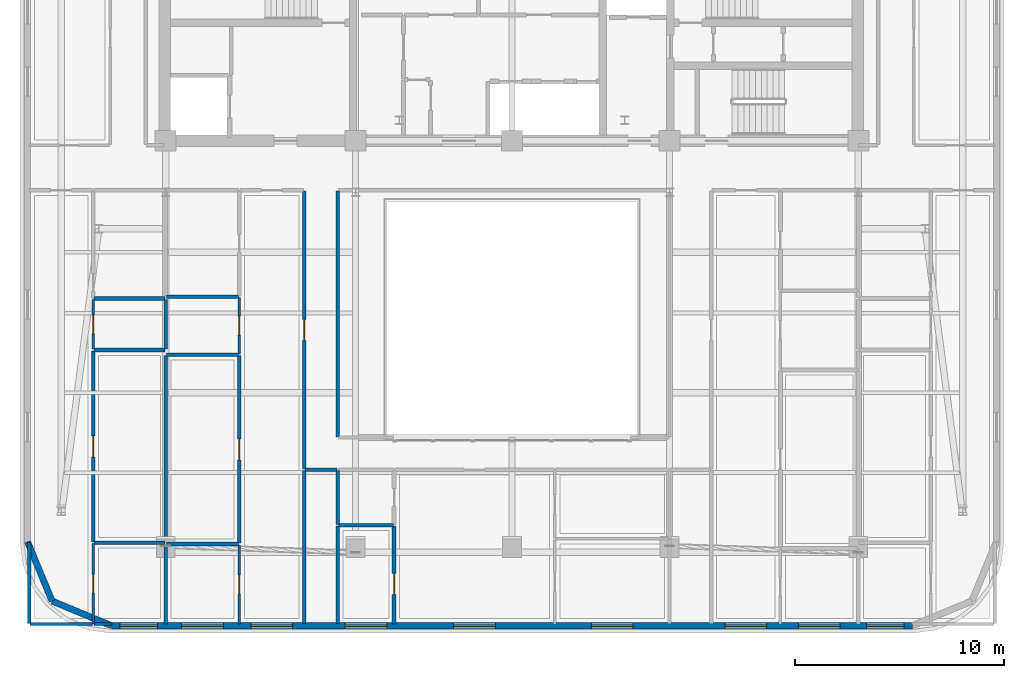
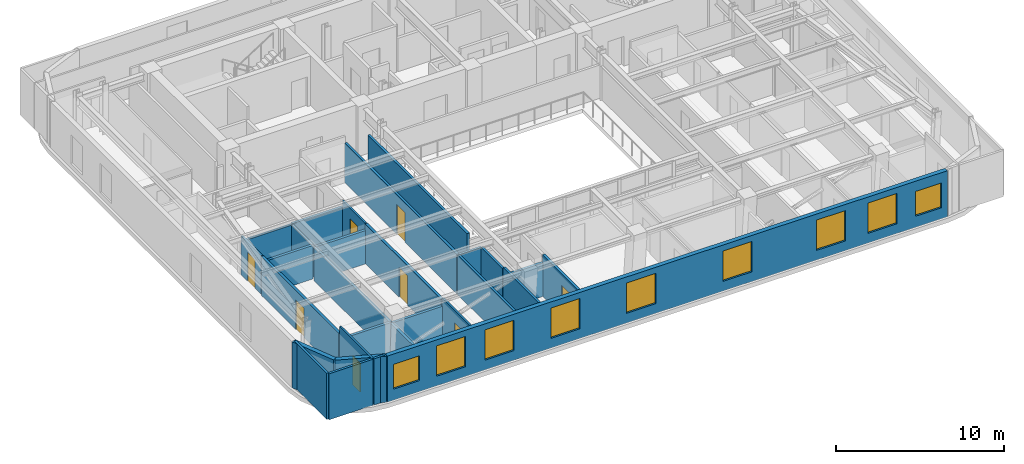
# One storey, part 6 of 15: 29 walls, 9 windows, 8 doors, 17 openings.
"""IFC4 building model written with IfcOpenShell, lengths in metres."""

from ifc_helpers import new_model, si_unit, direction, frame, frame_2d, origin, place, context, subcontext, project, spatial, rectangle, extrude, material, layer, layer_set, type_object, element, fill, save


model = new_model("IFC4")

# Units and contexts
model_context = context("Model", 3, precision=1e-05, world=origin(), true_north=direction((0.0, 1.0)))
body_context = subcontext(model_context, "Body", "Model", "MODEL_VIEW")
ifc_project = project(units=[si_unit("LENGTHUNIT", "METRE"), si_unit("AREAUNIT", "SQUARE_METRE"), si_unit("VOLUMEUNIT", "CUBIC_METRE"), si_unit("PLANEANGLEUNIT", "RADIAN"), si_unit("MASSUNIT", "GRAM", prefix="KILO")], contexts=[model_context])

# Site, building, storey
site_placement = place(None, origin())
site = spatial("IfcSite", under=ifc_project, at=site_placement, CompositionType="ELEMENT")
building_placement = place(site_placement, origin())
building = spatial("IfcBuilding", under=site, at=building_placement, Name="Zarnavel Station Tower", CompositionType="ELEMENT")
storey_placement = place(building_placement, frame((0.0, 0.0, 196.800048828125)))
storey = spatial("IfcBuildingStorey", under=building, at=storey_placement, Name="L53", CompositionType="ELEMENT", Elevation=196.800048828125)

# Walls
ifc_material_1 = material(Name="Precast concrete C45/55 (Dark Basalt Finish)", Category="masonry")
ifc_layer_1 = layer(ifc_material_1, 0.300048828125)
ifc_layer_set_1 = layer_set([ifc_layer_1], Name="EW_BASALT_300")
wall_type_1 = type_object("IfcWallType", Name="EW_BASALT_300", PredefinedType="SOLIDWALL", material=ifc_layer_set_1)
for number, where, z_axis, x_axis, name in (
    (1, (6.75732421875, 5.75732421875, 0.0), (0.0, 0.0, 1.0), (-0.382608747773, 0.923910464346, 0.0), "L53 Exterior Basalt Masonry Frame Wall 10"),
    (2, (9.60009765625, 4.580078125, 0.0), (0.0, 0.0, 1.0), (-0.923910464346, 0.382608747773, 0.0), "L53 Exterior Basalt Masonry Frame Wall 11"),
):
    element("IfcWall", number, at=place(storey_placement, frame(where, z_axis=z_axis, x_axis=x_axis)), inside=storey, type_object=wall_type_1, Name=name, PredefinedType="SOLIDWALL", context=body_context, shape_type="SweptSolid", body=[
        extrude(rectangle(XDim=3.076904296875, YDim=0.300048828125, at=frame_2d((1.53857421875, 0.0))), origin(), (0.0, 0.0, 1.0), 3.33984375),
    ])

# Wall, openings, windows
wall_1_placement = place(storey_placement, frame((48.0, 4.580078125, 0.0), z_axis=(0.0, 0.0, 1.0), x_axis=(-1.0, 0.0, 0.0)))
wall_1 = element("IfcWall", 3, at=wall_1_placement, inside=storey, type_object=wall_type_1, Name="L53 Exterior Basalt Masonry Frame Wall 12", PredefinedType="SOLIDWALL", context=body_context, shape_type="SweptSolid", body=[
    extrude(rectangle(XDim=38.39990234375, YDim=0.300048828125, at=frame_2d((19.199951171875, 0.0))), origin(), (0.0, 0.0, 1.0), 3.33984375),
])
opening_1_placement = place(wall_1_placement, frame((36.18994140625, 0.0, 0.800048828125)))
opening_1 = element("IfcOpeningElement", 4, at=opening_1_placement, cuts=wall_1, Name="Opening WN02", PredefinedType="OPENING", context=body_context, shape_type="SweptSolid", body=[
    extrude(rectangle(XDim=1.800048828125, YDim=1.800048828125, at=frame_2d((0.89990234375, 0.89990234375))), frame((0.0, 0.159912109375, 0.0), z_axis=(0.0, -1.0, 0.0), x_axis=(1.0, 0.0, 0.0)), (0.0, 0.0, 1.0), 0.320068359375),
])
opening_2_placement = place(wall_1_placement, frame((29.71240234375, 0.0, 0.699951171875)))
opening_2 = element("IfcOpeningElement", 5, at=opening_2_placement, cuts=wall_1, Name="Opening WN07", PredefinedType="OPENING", context=body_context, shape_type="SweptSolid", body=[
    extrude(rectangle(XDim=2.0, YDim=2.199951171875, at=frame_2d((1.0, 1.10009765625))), frame((0.0, 0.159912109375, 0.0), z_axis=(0.0, -1.0, 0.0), x_axis=(1.0, 0.0, 0.0)), (0.0, 0.0, 1.0), 0.320068359375),
])
opening_3_placement = place(wall_1_placement, frame((33.03759765625, 0.0, 0.699951171875)))
opening_3 = element("IfcOpeningElement", 6, at=opening_3_placement, cuts=wall_1, Name="Opening WN07", PredefinedType="OPENING", context=body_context, shape_type="SweptSolid", body=[
    extrude(rectangle(XDim=2.0, YDim=2.199951171875, at=frame_2d((1.0, 1.10009765625))), frame((0.0, 0.159912109375, 0.0), z_axis=(0.0, -1.0, 0.0), x_axis=(1.0, 0.0, 0.0)), (0.0, 0.0, 1.0), 0.320068359375),
])
opening_4_placement = place(wall_1_placement, frame((20.0, 0.0, 0.699951171875)))
opening_4 = element("IfcOpeningElement", 7, at=opening_4_placement, cuts=wall_1, Name="Opening WN07", PredefinedType="OPENING", context=body_context, shape_type="SweptSolid", body=[
    extrude(rectangle(XDim=2.0, YDim=2.199951171875, at=frame_2d((1.0, 1.10009765625))), frame((0.0, 0.159912109375, 0.0), z_axis=(0.0, -1.0, 0.0), x_axis=(1.0, 0.0, 0.0)), (0.0, 0.0, 1.0), 0.320068359375),
])
opening_5_placement = place(wall_1_placement, frame((25.199951171875, 0.0, 0.699951171875)))
opening_5 = element("IfcOpeningElement", 8, at=opening_5_placement, cuts=wall_1, Name="Opening WN07", PredefinedType="OPENING", context=body_context, shape_type="SweptSolid", body=[
    extrude(rectangle(XDim=2.0, YDim=2.199951171875, at=frame_2d((1.0, 1.10009765625))), frame((0.0, 0.159912109375, 0.0), z_axis=(0.0, -1.0, 0.0), x_axis=(1.0, 0.0, 0.0)), (0.0, 0.0, 1.0), 0.320068359375),
])
opening_6_placement = place(wall_1_placement, frame((13.39990234375, 0.0, 0.699951171875)))
opening_6 = element("IfcOpeningElement", 9, at=opening_6_placement, cuts=wall_1, Name="Opening WN07", PredefinedType="OPENING", context=body_context, shape_type="SweptSolid", body=[
    extrude(rectangle(XDim=2.0, YDim=2.199951171875, at=frame_2d((1.0, 1.10009765625))), frame((0.0, 0.159912109375, 0.0), z_axis=(0.0, -1.0, 0.0), x_axis=(1.0, 0.0, 0.0)), (0.0, 0.0, 1.0), 0.320068359375),
])
opening_7_placement = place(wall_1_placement, frame((6.993408203125, 0.0, 0.699951171875)))
opening_7 = element("IfcOpeningElement", 10, at=opening_7_placement, cuts=wall_1, Name="Opening WN07", PredefinedType="OPENING", context=body_context, shape_type="SweptSolid", body=[
    extrude(rectangle(XDim=2.0, YDim=2.199951171875, at=frame_2d((1.0, 1.10009765625))), frame((0.0, 0.159912109375, 0.0), z_axis=(0.0, -1.0, 0.0), x_axis=(1.0, 0.0, 0.0)), (0.0, 0.0, 1.0), 0.320068359375),
])
opening_8_placement = place(wall_1_placement, frame((3.468505859375, 0.0, 0.699951171875)))
opening_8 = element("IfcOpeningElement", 11, at=opening_8_placement, cuts=wall_1, Name="Opening WN07", PredefinedType="OPENING", context=body_context, shape_type="SweptSolid", body=[
    extrude(rectangle(XDim=2.0, YDim=2.199951171875, at=frame_2d((1.0, 1.10009765625))), frame((0.0, 0.159912109375, 0.0), z_axis=(0.0, -1.0, 0.0), x_axis=(1.0, 0.0, 0.0)), (0.0, 0.0, 1.0), 0.320068359375),
])
opening_9_placement = place(wall_1_placement, frame((0.409912109375, 0.0, 0.800048828125)))
opening_9 = element("IfcOpeningElement", 12, at=opening_9_placement, cuts=wall_1, Name="Opening WN02", PredefinedType="OPENING", context=body_context, shape_type="SweptSolid", body=[
    extrude(rectangle(XDim=1.800048828125, YDim=1.800048828125, at=frame_2d((0.89990234375, 0.89990234375))), frame((0.0, 0.159912109375, 0.0), z_axis=(0.0, -1.0, 0.0), x_axis=(1.0, 0.0, 0.0)), (0.0, 0.0, 1.0), 0.320068359375),
])
ifc_material_2 = material(Name="Thermally Broken Black Aluminium and Low-E Dark Glass", Category="aluminium")
window_type_1 = type_object("IfcWindowType", Name="WN_1800x1800", PartitioningType="DOUBLE_PANEL_VERTICAL", PredefinedType="WINDOW", material=ifc_material_2)
window_1_placement = place(opening_1_placement, origin())
window_1 = element("IfcWindow", 13, at=window_1_placement, inside=storey, type_object=window_type_1, Name="L53 Recessed Facade Window 01", OverallHeight=1.800048828125, OverallWidth=1.800048828125, PartitioningType="SINGLE_PANEL", PredefinedType="WINDOW", context=body_context, shape_type="SweptSolid", body=[
    extrude(rectangle(XDim=1.800048828125, YDim=1.800048828125, at=frame_2d((0.89990234375, 0.89990234375))), frame((0.0, 0.030029296875, 0.0), z_axis=(0.0, -1.0, 0.0), x_axis=(1.0, 0.0, 0.0)), (0.0, 0.0, 1.0), 0.06005859375),
])
fill(opening_1, window_1)
window_2_placement = place(opening_9_placement, origin())
window_2 = element("IfcWindow", 14, at=window_2_placement, inside=storey, type_object=window_type_1, Name="L53 Recessed Facade Window 09", OverallHeight=1.800048828125, OverallWidth=1.800048828125, PartitioningType="SINGLE_PANEL", PredefinedType="WINDOW", context=body_context, shape_type="SweptSolid", body=[
    extrude(rectangle(XDim=1.800048828125, YDim=1.800048828125, at=frame_2d((0.89990234375, 0.89990234375))), frame((0.0, 0.030029296875, 0.0), z_axis=(0.0, -1.0, 0.0), x_axis=(1.0, 0.0, 0.0)), (0.0, 0.0, 1.0), 0.06005859375),
])
fill(opening_9, window_2)
ifc_material_3 = material(Name="Thermally Broken Black Aluminium and Low-E Dark Glass", Category="aluminium")
window_type_2 = type_object("IfcWindowType", Name="WN_2000x2200", PartitioningType="TRIPLE_PANEL_VERTICAL", PredefinedType="WINDOW", material=ifc_material_3)
window_3_placement = place(opening_2_placement, origin())
window_3 = element("IfcWindow", 15, at=window_3_placement, inside=storey, type_object=window_type_2, Name="L53 Recessed Facade Window 02", OverallHeight=2.199951171875, OverallWidth=2.0, PartitioningType="SINGLE_PANEL", PredefinedType="WINDOW", context=body_context, shape_type="SweptSolid", body=[
    extrude(rectangle(XDim=2.0, YDim=2.199951171875, at=frame_2d((1.0, 1.10009765625))), frame((0.0, 0.030029296875, 0.0), z_axis=(0.0, -1.0, 0.0), x_axis=(1.0, 0.0, 0.0)), (0.0, 0.0, 1.0), 0.06005859375),
])
fill(opening_2, window_3)
window_4_placement = place(opening_3_placement, origin())
window_4 = element("IfcWindow", 16, at=window_4_placement, inside=storey, type_object=window_type_2, Name="L53 Recessed Facade Window 03", OverallHeight=2.199951171875, OverallWidth=2.0, PartitioningType="SINGLE_PANEL", PredefinedType="WINDOW", context=body_context, shape_type="SweptSolid", body=[
    extrude(rectangle(XDim=2.0, YDim=2.199951171875, at=frame_2d((1.0, 1.10009765625))), frame((0.0, 0.030029296875, 0.0), z_axis=(0.0, -1.0, 0.0), x_axis=(1.0, 0.0, 0.0)), (0.0, 0.0, 1.0), 0.06005859375),
])
fill(opening_3, window_4)
window_5_placement = place(opening_4_placement, origin())
window_5 = element("IfcWindow", 17, at=window_5_placement, inside=storey, type_object=window_type_2, Name="L53 Recessed Facade Window 04", OverallHeight=2.199951171875, OverallWidth=2.0, PartitioningType="SINGLE_PANEL", PredefinedType="WINDOW", context=body_context, shape_type="SweptSolid", body=[
    extrude(rectangle(XDim=2.0, YDim=2.199951171875, at=frame_2d((1.0, 1.10009765625))), frame((0.0, 0.030029296875, 0.0), z_axis=(0.0, -1.0, 0.0), x_axis=(1.0, 0.0, 0.0)), (0.0, 0.0, 1.0), 0.06005859375),
])
fill(opening_4, window_5)
window_6_placement = place(opening_5_placement, origin())
window_6 = element("IfcWindow", 18, at=window_6_placement, inside=storey, type_object=window_type_2, Name="L53 Recessed Facade Window 05", OverallHeight=2.199951171875, OverallWidth=2.0, PartitioningType="SINGLE_PANEL", PredefinedType="WINDOW", context=body_context, shape_type="SweptSolid", body=[
    extrude(rectangle(XDim=2.0, YDim=2.199951171875, at=frame_2d((1.0, 1.10009765625))), frame((0.0, 0.030029296875, 0.0), z_axis=(0.0, -1.0, 0.0), x_axis=(1.0, 0.0, 0.0)), (0.0, 0.0, 1.0), 0.06005859375),
])
fill(opening_5, window_6)
window_7_placement = place(opening_6_placement, origin())
window_7 = element("IfcWindow", 19, at=window_7_placement, inside=storey, type_object=window_type_2, Name="L53 Recessed Facade Window 06", OverallHeight=2.199951171875, OverallWidth=2.0, PartitioningType="SINGLE_PANEL", PredefinedType="WINDOW", context=body_context, shape_type="SweptSolid", body=[
    extrude(rectangle(XDim=2.0, YDim=2.199951171875, at=frame_2d((1.0, 1.10009765625))), frame((0.0, 0.030029296875, 0.0), z_axis=(0.0, -1.0, 0.0), x_axis=(1.0, 0.0, 0.0)), (0.0, 0.0, 1.0), 0.06005859375),
])
fill(opening_6, window_7)
window_8_placement = place(opening_7_placement, origin())
window_8 = element("IfcWindow", 20, at=window_8_placement, inside=storey, type_object=window_type_2, Name="L53 Recessed Facade Window 07", OverallHeight=2.199951171875, OverallWidth=2.0, PartitioningType="SINGLE_PANEL", PredefinedType="WINDOW", context=body_context, shape_type="SweptSolid", body=[
    extrude(rectangle(XDim=2.0, YDim=2.199951171875, at=frame_2d((1.0, 1.10009765625))), frame((0.0, 0.030029296875, 0.0), z_axis=(0.0, -1.0, 0.0), x_axis=(1.0, 0.0, 0.0)), (0.0, 0.0, 1.0), 0.06005859375),
])
fill(opening_7, window_8)
window_9_placement = place(opening_8_placement, origin())
window_9 = element("IfcWindow", 21, at=window_9_placement, inside=storey, type_object=window_type_2, Name="L53 Recessed Facade Window 08", OverallHeight=2.199951171875, OverallWidth=2.0, PartitioningType="SINGLE_PANEL", PredefinedType="WINDOW", context=body_context, shape_type="SweptSolid", body=[
    extrude(rectangle(XDim=2.0, YDim=2.199951171875, at=frame_2d((1.0, 1.10009765625))), frame((0.0, 0.030029296875, 0.0), z_axis=(0.0, -1.0, 0.0), x_axis=(1.0, 0.0, 0.0)), (0.0, 0.0, 1.0), 0.06005859375),
])
fill(opening_8, window_9)

# Wall, opening, door
ifc_material_4 = material(Name="Gypsum Twin-Stud Acoustic Fire Partition", Category="concrete")
ifc_layer_2 = layer(ifc_material_4, 0.159912109375)
ifc_layer_set_2 = layer_set([ifc_layer_2], Name="PT_DEMISE_160")
wall_type_2 = type_object("IfcWallType", Name="PT_DEMISE_160", PredefinedType="PARTITIONING", material=ifc_layer_set_2)
wall_2_placement = place(storey_placement, frame((18.85009765625, 12.090087890625, 0.0), z_axis=(0.0, 0.0, 1.0), x_axis=(0.0, 1.0, 0.0)))
wall_2 = element("IfcWall", 22, at=wall_2_placement, inside=storey, type_object=wall_type_2, Name="L53 Partition COR-AW-UW2LV", PredefinedType="PARTITIONING", context=body_context, shape_type="SweptSolid", body=[
    extrude(rectangle(XDim=13.31982421875, YDim=0.159912109375, at=frame_2d((6.659912109375, 0.0))), origin(), (0.0, 0.0, 1.0), 2.869873046875),
])
opening_10_placement = place(wall_2_placement, frame((6.159912109375, 0.0, 0.0)))
opening_10 = element("IfcOpeningElement", 23, at=opening_10_placement, cuts=wall_2, Name="Opening FD02", PredefinedType="OPENING", context=body_context, shape_type="SweptSolid", body=[
    extrude(rectangle(XDim=1.0, YDim=2.14990234375, at=frame_2d((0.5, 1.074951171875))), frame((0.0, 0.08984375, 0.0), z_axis=(0.0, -1.0, 0.0), x_axis=(1.0, 0.0, 0.0)), (0.0, 0.0, 1.0), 0.179931640625),
])
ifc_material_5 = material(Name="Painted Galvanised Steel and Hardwood Leaf", Category="steel")
door_type_1 = type_object("IfcDoorType", Name="ID_ENTRY_1000", OperationType="NOTDEFINED", PredefinedType="DOOR", material=ifc_material_5)
door_1_placement = place(opening_10_placement, origin())
door_1 = element("IfcDoor", 24, at=door_1_placement, inside=storey, type_object=door_type_1, Name="L53 Door COR-AW-UW2LV", OperationType="SINGLE_SWING_RIGHT", OverallHeight=2.14990234375, OverallWidth=1.0, PredefinedType="DOOR", context=body_context, shape_type="SweptSolid", body=[
    extrude(rectangle(XDim=1.0, YDim=2.14990234375, at=frame_2d((0.5, 1.074951171875))), frame((0.0, 0.02490234375, 0.0), z_axis=(0.0, -1.0, 0.0), x_axis=(1.0, 0.0, 0.0)), (0.0, 0.0, 1.0), 0.050048828125),
])
fill(opening_10, door_1)

# Walls
wall_3_placement = place(storey_placement, frame((12.199951171875, 4.659912109375, 0.0), z_axis=(0.0, 0.0, 1.0), x_axis=(0.0, 1.0, 0.0)))
element("IfcWall", 25, at=wall_3_placement, inside=storey, type_object=wall_type_2, Name="L53 Partition UW1B1-UW2B1", PredefinedType="PARTITIONING", context=body_context, shape_type="SweptSolid", body=[
    extrude(rectangle(XDim=3.7900390625, YDim=0.159912109375, at=frame_2d((1.89501953125, 0.0))), origin(), (0.0, 0.0, 1.0), 2.419921875),
])
wall_4_placement = place(storey_placement, frame((12.199951171875, 17.827880859375, 0.0), z_axis=(0.0, 0.0, 1.0), x_axis=(0.0, 1.0, 0.0)))
element("IfcWall", 26, at=wall_4_placement, inside=storey, type_object=wall_type_2, Name="L53 Partition UW1UT-UW2UT", PredefinedType="PARTITIONING", context=body_context, shape_type="SweptSolid", body=[
    extrude(rectangle(XDim=2.38916015625, YDim=0.159912109375, at=frame_2d((1.194580078125, 0.0))), origin(), (0.0, 0.0, 1.0), 2.419921875),
])
wall_5_placement = place(storey_placement, frame((18.8798828125, 12.050048828125, 0.0), z_axis=(0.0, 0.0, 1.0), x_axis=(1.0, 0.0, 0.0)))
element("IfcWall", 27, at=wall_5_placement, inside=storey, type_object=wall_type_2, Name="L53 Enclosure Wall COR-AW", PredefinedType="PARTITIONING", context=body_context, shape_type="SweptSolid", body=[
    extrude(rectangle(XDim=1.5400390625, YDim=0.159912109375, at=frame_2d((0.77001953125, 0.0))), origin(), (0.0, 0.0, 1.0), 2.869873046875),
])
wall_6_placement = place(storey_placement, frame((20.449951171875, 13.6298828125, 0.0), z_axis=(0.0, 0.0, 1.0), x_axis=(0.0, 1.0, 0.0)))
element("IfcWall", 28, at=wall_6_placement, inside=storey, type_object=wall_type_2, Name="L53 Enclosure Wall COR-AW", PredefinedType="PARTITIONING", context=body_context, shape_type="SweptSolid", body=[
    extrude(rectangle(XDim=11.7900390625, YDim=0.159912109375, at=frame_2d((5.89501953125, 0.0))), origin(), (0.0, 0.0, 1.0), 2.869873046875),
])
wall_7_placement = place(storey_placement, frame((5.68994140625, 4.659912109375, 0.0), z_axis=(0.0, 0.0, 1.0), x_axis=(1.0, 0.0, 0.0)))
element("IfcWall", 29, at=wall_7_placement, inside=storey, type_object=wall_type_2, Name="L53 Enclosure Wall UW1LV", PredefinedType="PARTITIONING", context=body_context, shape_type="SweptSolid", body=[
    extrude(rectangle(XDim=3.01416015625, YDim=0.159912109375, at=frame_2d((1.507080078125, 0.0))), origin(), (0.0, 0.0, 1.0), 3.33984375),
])
wall_8_placement = place(storey_placement, frame((5.659912109375, 4.68994140625, 0.0), z_axis=(0.0, 0.0, 1.0), x_axis=(0.0, 1.0, 0.0)))
element("IfcWall", 30, at=wall_8_placement, inside=storey, type_object=wall_type_2, Name="L53 Enclosure Wall UW1LV", PredefinedType="PARTITIONING", context=body_context, shape_type="SweptSolid", body=[
    extrude(rectangle(XDim=3.880126953125, YDim=0.159912109375, at=frame_2d((1.93994140625, 0.0))), origin(), (0.0, 0.0, 1.0), 3.33984375),
])
wall_9_placement = place(storey_placement, frame((8.763916015625, 4.659912109375, 0.0), z_axis=(0.0, 0.0, 1.0), x_axis=(1.0, 0.0, 0.0)))
element("IfcWall", 31, at=wall_9_placement, inside=storey, type_object=wall_type_2, Name="L53 Enclosure Wall UW1B1", PredefinedType="PARTITIONING", context=body_context, shape_type="SweptSolid", body=[
    extrude(rectangle(XDim=0.80615234375, YDim=0.159912109375, at=frame_2d((0.403076171875, 0.0))), origin(), (0.0, 0.0, 1.0), 3.33984375),
])
wall_10_placement = place(storey_placement, frame((18.85009765625, 4.68994140625, 0.0), z_axis=(0.0, 0.0, 1.0), x_axis=(0.0, 1.0, 0.0)))
element("IfcWall", 32, at=wall_10_placement, inside=storey, type_object=wall_type_2, Name="L53 Enclosure Wall UW2LV", PredefinedType="PARTITIONING", context=body_context, shape_type="SweptSolid", body=[
    extrude(rectangle(XDim=7.330078125, YDim=0.159912109375, at=frame_2d((3.6650390625, 0.0))), origin(), (0.0, 0.0, 1.0), 2.869873046875),
])
wall_11_placement = place(storey_placement, frame((20.449951171875, 4.68994140625, 0.0), z_axis=(0.0, 0.0, 1.0), x_axis=(0.0, 1.0, 0.0)))
element("IfcWall", 33, at=wall_11_placement, inside=storey, type_object=wall_type_2, Name="L53 Enclosure Wall US1KT", PredefinedType="PARTITIONING", context=body_context, shape_type="SweptSolid", body=[
    extrude(rectangle(XDim=4.670166015625, YDim=0.159912109375, at=frame_2d((2.3349609375, 0.0))), origin(), (0.0, 0.0, 1.0), 3.0),
])
wall_12_placement = place(storey_placement, frame((20.449951171875, 9.419921875, 0.0), z_axis=(0.0, 0.0, 1.0), x_axis=(0.0, 1.0, 0.0)))
element("IfcWall", 34, at=wall_12_placement, inside=storey, type_object=wall_type_2, Name="L53 Enclosure Wall US1BA", PredefinedType="PARTITIONING", context=body_context, shape_type="SweptSolid", body=[
    extrude(rectangle(XDim=2.60009765625, YDim=0.159912109375, at=frame_2d((1.300048828125, 0.0))), origin(), (0.0, 0.0, 1.0), 2.869873046875),
])

# Wall, opening, door
ifc_material_6 = material(Name="Gypsum Metal-Stud Interior Partition", Category="concrete")
ifc_layer_3 = layer(ifc_material_6, 0.1201171875)
ifc_layer_set_3 = layer_set([ifc_layer_3], Name="PT_ROOM_120")
wall_type_3 = type_object("IfcWallType", Name="PT_ROOM_120", PredefinedType="PARTITIONING", material=ifc_layer_set_3)
wall_13_placement = place(storey_placement, frame((8.73388671875, 4.659912109375, 0.0), z_axis=(0.0, 0.0, 1.0), x_axis=(0.0, 1.0, 0.0)))
wall_13 = element("IfcWall", 35, at=wall_13_placement, inside=storey, type_object=wall_type_3, Name="L53 Partition UW1LV-UW1B1", PredefinedType="PARTITIONING", context=body_context, shape_type="SweptSolid", body=[
    extrude(rectangle(XDim=3.85498046875, YDim=0.1201171875, at=frame_2d((1.927490234375, 0.0))), origin(), (0.0, 0.0, 1.0), 3.33984375),
])
opening_11_placement = place(wall_13_placement, frame((1.4775390625, 0.0, 0.0)))
opening_11 = element("IfcOpeningElement", 36, at=opening_11_placement, cuts=wall_13, Name="Opening ID01", PredefinedType="OPENING", context=body_context, shape_type="SweptSolid", body=[
    extrude(rectangle(XDim=0.89990234375, YDim=2.10009765625, at=frame_2d((0.449951171875, 1.050048828125))), frame((0.0, 0.070068359375, 0.0), z_axis=(0.0, -1.0, 0.0), x_axis=(1.0, 0.0, 0.0)), (0.0, 0.0, 1.0), 0.14013671875),
])
ifc_material_7 = material(Name="Painted Galvanised Steel and Hardwood Leaf", Category="steel")
door_type_2 = type_object("IfcDoorType", Name="ID_ROOM_900", OperationType="NOTDEFINED", PredefinedType="DOOR", material=ifc_material_7)
door_2_placement = place(opening_11_placement, origin())
door_2 = element("IfcDoor", 37, at=door_2_placement, inside=storey, type_object=door_type_2, Name="L53 Door UW1LV-UW1B1", OperationType="SINGLE_SWING_LEFT", OverallHeight=2.10009765625, OverallWidth=0.89990234375, PredefinedType="DOOR", context=body_context, shape_type="SweptSolid", body=[
    extrude(rectangle(XDim=0.89990234375, YDim=2.10009765625, at=frame_2d((0.449951171875, 1.050048828125))), frame((0.0, 0.02490234375, 0.0), z_axis=(0.0, -1.0, 0.0), x_axis=(1.0, 0.0, 0.0)), (0.0, 0.0, 1.0), 0.050048828125),
])
fill(opening_11, door_2)

wall_14_placement = place(storey_placement, frame((8.73388671875, 17.827880859375, 0.0), z_axis=(0.0, 0.0, 1.0), x_axis=(0.0, 1.0, 0.0)))
wall_14 = element("IfcWall", 38, at=wall_14_placement, inside=storey, type_object=wall_type_3, Name="L53 Partition UW1LV-UW1UT", PredefinedType="PARTITIONING", context=body_context, shape_type="SweptSolid", body=[
    extrude(rectangle(XDim=2.38916015625, YDim=0.1201171875, at=frame_2d((1.194580078125, 0.0))), origin(), (0.0, 0.0, 1.0), 2.820068359375),
])
opening_12_placement = place(wall_14_placement, frame((0.744384765625, 0.0, 0.0)))
opening_12 = element("IfcOpeningElement", 39, at=opening_12_placement, cuts=wall_14, Name="Opening ID01", PredefinedType="OPENING", context=body_context, shape_type="SweptSolid", body=[
    extrude(rectangle(XDim=0.89990234375, YDim=2.10009765625, at=frame_2d((0.449951171875, 1.050048828125))), frame((0.0, 0.070068359375, 0.0), z_axis=(0.0, -1.0, 0.0), x_axis=(1.0, 0.0, 0.0)), (0.0, 0.0, 1.0), 0.14013671875),
])
door_3_placement = place(opening_12_placement, origin())
door_3 = element("IfcDoor", 40, at=door_3_placement, inside=storey, type_object=door_type_2, Name="L53 Door UW1LV-UW1UT", OperationType="SINGLE_SWING_LEFT", OverallHeight=2.10009765625, OverallWidth=0.89990234375, PredefinedType="DOOR", context=body_context, shape_type="SweptSolid", body=[
    extrude(rectangle(XDim=0.89990234375, YDim=2.10009765625, at=frame_2d((0.449951171875, 1.050048828125))), frame((0.0, 0.02490234375, 0.0), z_axis=(0.0, -1.0, 0.0), x_axis=(1.0, 0.0, 0.0)), (0.0, 0.0, 1.0), 0.050048828125),
])
fill(opening_12, door_3)

wall_15_placement = place(storey_placement, frame((15.72509765625, 4.659912109375, 0.0), z_axis=(0.0, 0.0, 1.0), x_axis=(0.0, 1.0, 0.0)))
wall_15 = element("IfcWall", 41, at=wall_15_placement, inside=storey, type_object=wall_type_3, Name="L53 Partition UW2LV-UW2B1", PredefinedType="PARTITIONING", context=body_context, shape_type="SweptSolid", body=[
    extrude(rectangle(XDim=3.7900390625, YDim=0.1201171875, at=frame_2d((1.89501953125, 0.0))), origin(), (0.0, 0.0, 1.0), 3.0),
])
opening_13_placement = place(wall_15_placement, frame((1.445068359375, 0.0, 0.0)))
opening_13 = element("IfcOpeningElement", 42, at=opening_13_placement, cuts=wall_15, Name="Opening ID01", PredefinedType="OPENING", context=body_context, shape_type="SweptSolid", body=[
    extrude(rectangle(XDim=0.89990234375, YDim=2.10009765625, at=frame_2d((0.449951171875, 1.050048828125))), frame((0.0, 0.070068359375, 0.0), z_axis=(0.0, -1.0, 0.0), x_axis=(1.0, 0.0, 0.0)), (0.0, 0.0, 1.0), 0.14013671875),
])
door_4_placement = place(opening_13_placement, origin())
door_4 = element("IfcDoor", 43, at=door_4_placement, inside=storey, type_object=door_type_2, Name="L53 Door UW2LV-UW2B1", OperationType="SINGLE_SWING_LEFT", OverallHeight=2.10009765625, OverallWidth=0.89990234375, PredefinedType="DOOR", context=body_context, shape_type="SweptSolid", body=[
    extrude(rectangle(XDim=0.89990234375, YDim=2.10009765625, at=frame_2d((0.449951171875, 1.050048828125))), frame((0.0, 0.02490234375, 0.0), z_axis=(0.0, -1.0, 0.0), x_axis=(1.0, 0.0, 0.0)), (0.0, 0.0, 1.0), 0.050048828125),
])
fill(opening_13, door_4)

wall_16_placement = place(storey_placement, frame((15.72509765625, 17.60791015625, 0.0), z_axis=(0.0, 0.0, 1.0), x_axis=(0.0, 1.0, 0.0)))
wall_16 = element("IfcWall", 44, at=wall_16_placement, inside=storey, type_object=wall_type_3, Name="L53 Partition UW2LV-UW2UT", PredefinedType="PARTITIONING", context=body_context, shape_type="SweptSolid", body=[
    extrude(rectangle(XDim=2.696044921875, YDim=0.1201171875, at=frame_2d((1.34814453125, 0.0))), origin(), (0.0, 0.0, 1.0), 2.869873046875),
])
opening_14_placement = place(wall_16_placement, frame((0.89794921875, 0.0, 0.0)))
opening_14 = element("IfcOpeningElement", 45, at=opening_14_placement, cuts=wall_16, Name="Opening ID01", PredefinedType="OPENING", context=body_context, shape_type="SweptSolid", body=[
    extrude(rectangle(XDim=0.89990234375, YDim=2.10009765625, at=frame_2d((0.449951171875, 1.050048828125))), frame((0.0, 0.070068359375, 0.0), z_axis=(0.0, -1.0, 0.0), x_axis=(1.0, 0.0, 0.0)), (0.0, 0.0, 1.0), 0.14013671875),
])
door_5_placement = place(opening_14_placement, origin())
door_5 = element("IfcDoor", 46, at=door_5_placement, inside=storey, type_object=door_type_2, Name="L53 Door UW2LV-UW2UT", OperationType="SINGLE_SWING_LEFT", OverallHeight=2.10009765625, OverallWidth=0.89990234375, PredefinedType="DOOR", context=body_context, shape_type="SweptSolid", body=[
    extrude(rectangle(XDim=0.89990234375, YDim=2.10009765625, at=frame_2d((0.449951171875, 1.050048828125))), frame((0.0, 0.02490234375, 0.0), z_axis=(0.0, -1.0, 0.0), x_axis=(1.0, 0.0, 0.0)), (0.0, 0.0, 1.0), 0.050048828125),
])
fill(opening_14, door_5)

ifc_material_8 = material(Name="Moisture-Resistant Plumbing Chase Wall", Category="concrete")
ifc_layer_4 = layer(ifc_material_8, 0.179931640625)
ifc_layer_set_4 = layer_set([ifc_layer_4], Name="PW_PLUMB_180")
wall_type_4 = type_object("IfcWallType", Name="PW_PLUMB_180", PredefinedType="PLUMBINGWALL", material=ifc_layer_set_4)
wall_17_placement = place(storey_placement, frame((8.73388671875, 8.594970703125, 0.0), z_axis=(0.0, 0.0, 1.0), x_axis=(0.0, 1.0, 0.0)))
wall_17 = element("IfcWall", 47, at=wall_17_placement, inside=storey, type_object=wall_type_4, Name="L53 Partition UW1LV-UW1KT", PredefinedType="PLUMBINGWALL", context=body_context, shape_type="SweptSolid", body=[
    extrude(rectangle(XDim=9.153076171875, YDim=0.179931640625, at=frame_2d((4.57666015625, 0.0))), origin(), (0.0, 0.0, 1.0), 2.820068359375),
])
opening_15_placement = place(wall_17_placement, frame((4.076416015625, 0.0, 0.0)))
opening_15 = element("IfcOpeningElement", 48, at=opening_15_placement, cuts=wall_17, Name="Opening FD02", PredefinedType="OPENING", context=body_context, shape_type="SweptSolid", body=[
    extrude(rectangle(XDim=1.0, YDim=2.14990234375, at=frame_2d((0.5, 1.074951171875))), frame((0.0, 0.099853515625, 0.0), z_axis=(0.0, -1.0, 0.0), x_axis=(1.0, 0.0, 0.0)), (0.0, 0.0, 1.0), 0.199951171875),
])
door_6_placement = place(opening_15_placement, origin())
door_6 = element("IfcDoor", 49, at=door_6_placement, inside=storey, type_object=door_type_1, Name="L53 Door UW1LV-UW1KT", OperationType="SINGLE_SWING_RIGHT", OverallHeight=2.14990234375, OverallWidth=1.0, PredefinedType="DOOR", context=body_context, shape_type="SweptSolid", body=[
    extrude(rectangle(XDim=1.0, YDim=2.14990234375, at=frame_2d((0.5, 1.074951171875))), frame((0.0, 0.02490234375, 0.0), z_axis=(0.0, -1.0, 0.0), x_axis=(1.0, 0.0, 0.0)), (0.0, 0.0, 1.0), 0.050048828125),
])
fill(opening_15, door_6)

# Walls
for number, where, z_axis, x_axis, name in (
    (50, (8.77392578125, 8.554931640625, 0.0), (0.0, 0.0, 1.0), (1.0, 0.0, 0.0), "L53 Partition UW1B1-UW1KT"),
    (51, (8.77392578125, 17.7880859375, 0.0), (0.0, 0.0, 1.0), (1.0, 0.0, 0.0), "L53 Partition UW1KT-UW1UT"),
):
    element("IfcWall", number, at=place(storey_placement, frame(where, z_axis=z_axis, x_axis=x_axis)), inside=storey, type_object=wall_type_4, Name=name, PredefinedType="PLUMBINGWALL", context=body_context, shape_type="SweptSolid", body=[
        extrude(rectangle(XDim=3.385986328125, YDim=0.179931640625, at=frame_2d((1.69287109375, 0.0))), origin(), (0.0, 0.0, 1.0), 2.419921875),
    ])
wall_18_placement = place(storey_placement, frame((12.199951171875, 8.594970703125, 0.0), z_axis=(0.0, 0.0, 1.0), x_axis=(0.0, 1.0, 0.0)))
element("IfcWall", 52, at=wall_18_placement, inside=storey, type_object=wall_type_4, Name="L53 Partition UW1KT-UW2KT", PredefinedType="PLUMBINGWALL", context=body_context, shape_type="SweptSolid", body=[
    extrude(rectangle(XDim=8.93310546875, YDim=0.179931640625, at=frame_2d((4.466552734375, 0.0))), origin(), (0.0, 0.0, 1.0), 2.419921875),
])
wall_19_placement = place(storey_placement, frame((8.77392578125, 20.257080078125, 0.0), z_axis=(0.0, 0.0, 1.0), x_axis=(1.0, 0.0, 0.0)))
element("IfcWall", 53, at=wall_19_placement, inside=storey, type_object=wall_type_4, Name="L53 Partition UW1UT-UW1BA", PredefinedType="PLUMBINGWALL", context=body_context, shape_type="SweptSolid", body=[
    extrude(rectangle(XDim=3.385986328125, YDim=0.179931640625, at=frame_2d((1.69287109375, 0.0))), origin(), (0.0, 0.0, 1.0), 2.419921875),
])

# Wall, opening, door
wall_20_placement = place(storey_placement, frame((15.72509765625, 8.530029296875, 0.0), z_axis=(0.0, 0.0, 1.0), x_axis=(0.0, 1.0, 0.0)))
wall_20 = element("IfcWall", 54, at=wall_20_placement, inside=storey, type_object=wall_type_4, Name="L53 Partition UW2LV-UW2KT", PredefinedType="PLUMBINGWALL", context=body_context, shape_type="SweptSolid", body=[
    extrude(rectangle(XDim=8.998046875, YDim=0.179931640625, at=frame_2d((4.4990234375, 0.0))), origin(), (0.0, 0.0, 1.0), 2.869873046875),
])
opening_16_placement = place(wall_20_placement, frame((3.9990234375, 0.0, 0.0)))
opening_16 = element("IfcOpeningElement", 55, at=opening_16_placement, cuts=wall_20, Name="Opening FD02", PredefinedType="OPENING", context=body_context, shape_type="SweptSolid", body=[
    extrude(rectangle(XDim=1.0, YDim=2.14990234375, at=frame_2d((0.5, 1.074951171875))), frame((0.0, 0.099853515625, 0.0), z_axis=(0.0, -1.0, 0.0), x_axis=(1.0, 0.0, 0.0)), (0.0, 0.0, 1.0), 0.199951171875),
])
door_7_placement = place(opening_16_placement, origin())
door_7 = element("IfcDoor", 56, at=door_7_placement, inside=storey, type_object=door_type_1, Name="L53 Door UW2LV-UW2KT", OperationType="SINGLE_SWING_RIGHT", OverallHeight=2.14990234375, OverallWidth=1.0, PredefinedType="DOOR", context=body_context, shape_type="SweptSolid", body=[
    extrude(rectangle(XDim=1.0, YDim=2.14990234375, at=frame_2d((0.5, 1.074951171875))), frame((0.0, 0.02490234375, 0.0), z_axis=(0.0, -1.0, 0.0), x_axis=(1.0, 0.0, 0.0)), (0.0, 0.0, 1.0), 0.050048828125),
])
fill(opening_16, door_7)

# Walls
for number, where, z_axis, x_axis, name in (
    (57, (12.239990234375, 8.489990234375, 0.0), (0.0, 0.0, 1.0), (1.0, 0.0, 0.0), "L53 Partition UW2B1-UW2KT"),
    (58, (12.239990234375, 17.568115234375, 0.0), (0.0, 0.0, 1.0), (1.0, 0.0, 0.0), "L53 Partition UW2KT-UW2UT"),
    (59, (12.239990234375, 20.343994140625, 0.0), (0.0, 0.0, 1.0), (1.0, 0.0, 0.0), "L53 Partition UW2UT-UW2BA"),
):
    element("IfcWall", number, at=place(storey_placement, frame(where, z_axis=z_axis, x_axis=x_axis)), inside=storey, type_object=wall_type_4, Name=name, PredefinedType="PLUMBINGWALL", context=body_context, shape_type="SweptSolid", body=[
        extrude(rectangle(XDim=3.445068359375, YDim=0.179931640625, at=frame_2d((1.72265625, 0.0))), origin(), (0.0, 0.0, 1.0), 2.419921875),
    ])

# Wall, opening, door
wall_21_placement = place(storey_placement, frame((23.14990234375, 4.659912109375, 0.0), z_axis=(0.0, 0.0, 1.0), x_axis=(0.0, 1.0, 0.0)))
wall_21 = element("IfcWall", 60, at=wall_21_placement, inside=storey, type_object=wall_type_4, Name="L53 Partition US1LV-US1KT", PredefinedType="PLUMBINGWALL", context=body_context, shape_type="SweptSolid", body=[
    extrude(rectangle(XDim=4.690185546875, YDim=0.179931640625, at=frame_2d((2.34521484375, 0.0))), origin(), (0.0, 0.0, 1.0), 3.0),
])
opening_17_placement = place(wall_21_placement, frame((1.418701171875, 0.0, 0.0)))
opening_17 = element("IfcOpeningElement", 61, at=opening_17_placement, cuts=wall_21, Name="Opening FD02", PredefinedType="OPENING", context=body_context, shape_type="SweptSolid", body=[
    extrude(rectangle(XDim=1.0, YDim=2.14990234375, at=frame_2d((0.5, 1.074951171875))), frame((0.0, 0.099853515625, 0.0), z_axis=(0.0, -1.0, 0.0), x_axis=(1.0, 0.0, 0.0)), (0.0, 0.0, 1.0), 0.199951171875),
])
door_8_placement = place(opening_17_placement, origin())
door_8 = element("IfcDoor", 62, at=door_8_placement, inside=storey, type_object=door_type_1, Name="L53 Door US1LV-US1KT", OperationType="SINGLE_SWING_LEFT", OverallHeight=2.14990234375, OverallWidth=1.0, PredefinedType="DOOR", context=body_context, shape_type="SweptSolid", body=[
    extrude(rectangle(XDim=1.0, YDim=2.14990234375, at=frame_2d((0.5, 1.074951171875))), frame((0.0, 0.02490234375, 0.0), z_axis=(0.0, -1.0, 0.0), x_axis=(1.0, 0.0, 0.0)), (0.0, 0.0, 1.0), 0.050048828125),
])
fill(opening_17, door_8)

# Wall
wall_22_placement = place(storey_placement, frame((20.489990234375, 9.389892578125, 0.0), z_axis=(0.0, 0.0, 1.0), x_axis=(1.0, 0.0, 0.0)))
element("IfcWall", 63, at=wall_22_placement, inside=storey, type_object=wall_type_4, Name="L53 Partition US1KT-US1BA", PredefinedType="PLUMBINGWALL", context=body_context, shape_type="SweptSolid", body=[
    extrude(rectangle(XDim=2.6201171875, YDim=0.179931640625, at=frame_2d((1.31005859375, 0.0))), origin(), (0.0, 0.0, 1.0), 2.419921875),
])

save(model, "model.ifc")
